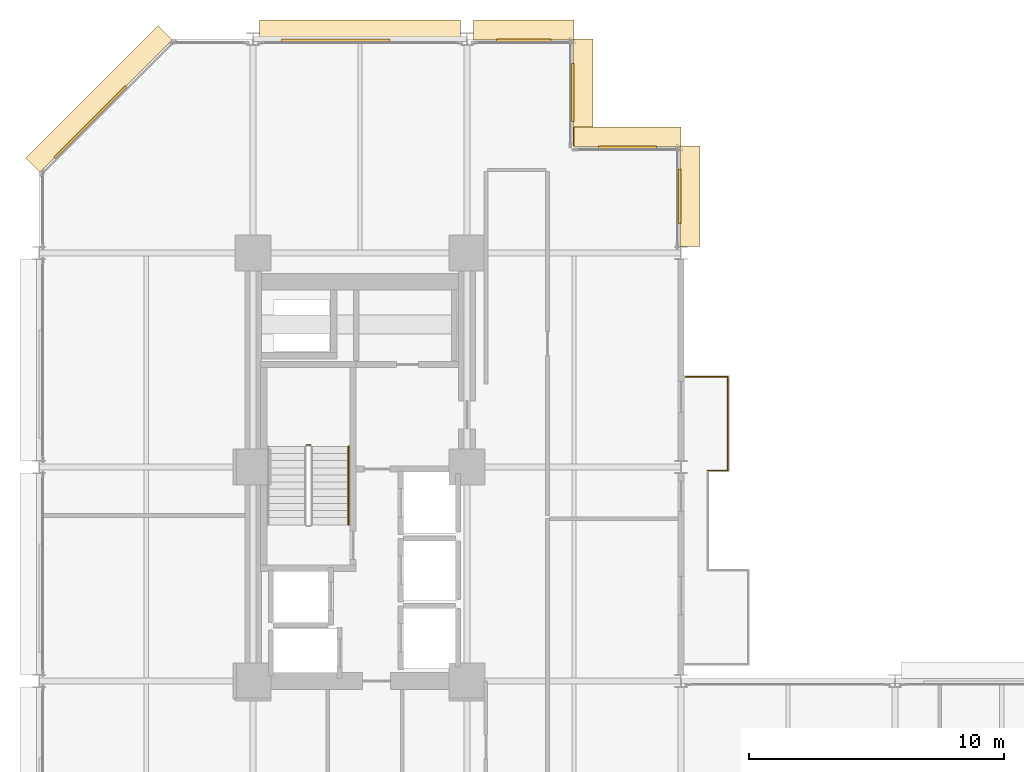
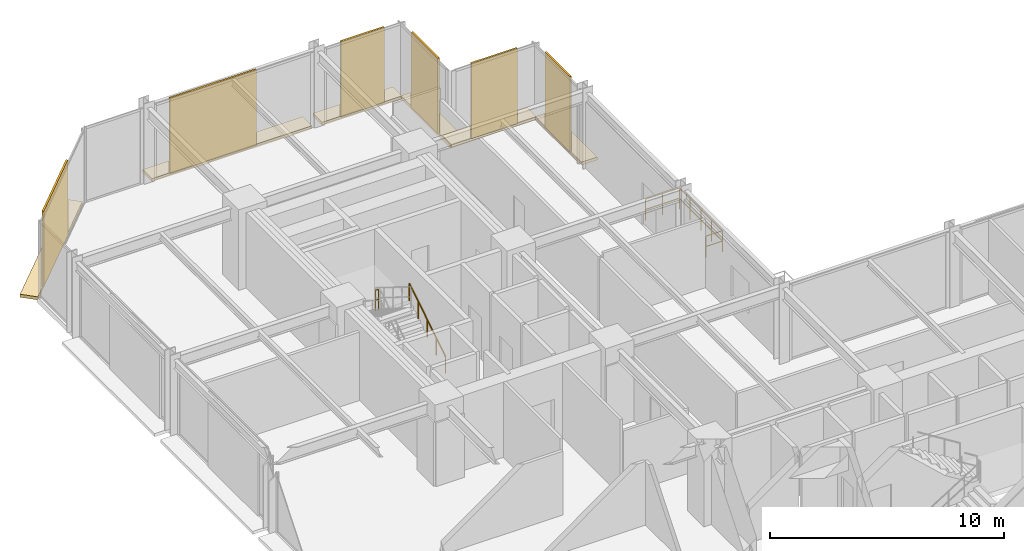
# One storey, part 25 of 25: 12 coverings, 5 railings.
"""IFC4 building model written with IfcOpenShell, lengths in metres."""

from ifc_helpers import new_model, si_unit, direction, frame, origin, origin_2d, place, context, subcontext, project, spatial, polyline, rectangle, circle, outline, extrude, material, layer, layer_set, type_object, element, save


model = new_model("IFC4")

# Units and contexts
model_context = context("Model", 3, precision=1e-05, world=origin(), true_north=direction((0.0, 1.0)))
body_context = subcontext(model_context, "Body", "Model", "MODEL_VIEW")
ifc_project = project(units=[si_unit("LENGTHUNIT", "METRE"), si_unit("AREAUNIT", "SQUARE_METRE"), si_unit("VOLUMEUNIT", "CUBIC_METRE"), si_unit("PLANEANGLEUNIT", "RADIAN"), si_unit("MASSUNIT", "GRAM", prefix="KILO")], contexts=[model_context])

# Site, building, storey
site_placement = place(None, origin())
site = spatial("IfcSite", under=ifc_project, at=site_placement, CompositionType="ELEMENT")
building_placement = place(site_placement, origin())
building = spatial("IfcBuilding", under=site, at=building_placement, Name="Nerrivon Quay Data Exchange", CompositionType="ELEMENT")
storey_placement = place(building_placement, frame((0.0, 0.0, 29.0)))
storey = spatial("IfcBuildingStorey", under=building, at=storey_placement, Name="L06", CompositionType="ELEMENT", Elevation=29.0)

# Coverings
ifc_material_1 = material(Name="Architectural terracotta ceramic", Category="masonry")
ifc_layer_1 = layer(ifc_material_1, 0.159912109375)
ifc_layer_set_1 = layer_set([ifc_layer_1], Name="Architectural terracotta ceramic")
covering_type_1 = type_object("IfcCoveringType", Name="COV-BLD-TERR", PredefinedType="CLADDING", material=ifc_layer_set_1)
covering_1_placement = place(storey_placement, frame((0.0, 0.0, -0.159912109375)))
element("IfcCovering", 1, at=covering_1_placement, inside=storey, type_object=covering_type_1, Name="L06 Horizontal Terracotta SOLAR SCREEN Blade", PredefinedType="CLADDING", context=body_context, shape_type="SweptSolid", body=[
    extrude(outline(polyline([(0.0283203125, 45.171630859375), (5.228271484375, 50.37158203125), (4.669677734375, 50.930419921875), (-0.5302734375, 45.730224609375), (0.0283203125, 45.171630859375)])), origin(), (0.0, 0.0, 1.0), 0.159912109375),
])
covering_2_placement = place(storey_placement, frame((0.0, 0.0, -0.159912109375)))
element("IfcCovering", 2, at=covering_2_placement, inside=storey, type_object=covering_type_1, Name="L06 Horizontal Terracotta SOLAR SCREEN Blade", PredefinedType="CLADDING", context=body_context, shape_type="SweptSolid", body=[
    extrude(outline(polyline([(8.64990234375, 50.360107421875), (16.550048828125, 50.360107421875), (16.550048828125, 51.14990234375), (8.64990234375, 51.14990234375), (8.64990234375, 50.360107421875)])), origin(), (0.0, 0.0, 1.0), 0.159912109375),
])
covering_3_placement = place(storey_placement, frame((0.0, 0.0, -0.159912109375)))
element("IfcCovering", 3, at=covering_3_placement, inside=storey, type_object=covering_type_1, Name="L06 Horizontal Terracotta SOLAR SCREEN Blade", PredefinedType="CLADDING", context=body_context, shape_type="SweptSolid", body=[
    extrude(outline(polyline([(17.050048828125, 50.360107421875), (21.0, 50.360107421875), (21.0, 51.14990234375), (17.050048828125, 51.14990234375), (17.050048828125, 50.360107421875)])), origin(), (0.0, 0.0, 1.0), 0.159912109375),
])
covering_4_placement = place(storey_placement, frame((0.0, 0.0, -0.159912109375)))
element("IfcCovering", 4, at=covering_4_placement, inside=storey, type_object=covering_type_1, Name="L06 Horizontal Terracotta SOLAR SCREEN Blade", PredefinedType="CLADDING", context=body_context, shape_type="SweptSolid", body=[
    extrude(outline(polyline([(20.9599609375, 50.39990234375), (20.9599609375, 46.199951171875), (21.75, 46.199951171875), (21.75, 50.39990234375), (20.9599609375, 50.39990234375)])), origin(), (0.0, 0.0, 1.0), 0.159912109375),
])
covering_5_placement = place(storey_placement, frame((0.0, 0.0, -0.159912109375)))
element("IfcCovering", 5, at=covering_5_placement, inside=storey, type_object=covering_type_1, Name="L06 Horizontal Terracotta SOLAR SCREEN Blade", PredefinedType="CLADDING", context=body_context, shape_type="SweptSolid", body=[
    extrude(outline(polyline([(21.0, 46.159912109375), (25.199951171875, 46.159912109375), (25.199951171875, 46.949951171875), (21.0, 46.949951171875), (21.0, 46.159912109375)])), origin(), (0.0, 0.0, 1.0), 0.159912109375),
])
covering_6_placement = place(storey_placement, frame((0.0, 0.0, -0.159912109375)))
element("IfcCovering", 6, at=covering_6_placement, inside=storey, type_object=covering_type_1, Name="L06 Horizontal Terracotta SOLAR SCREEN Blade", PredefinedType="CLADDING", context=body_context, shape_type="SweptSolid", body=[
    extrude(outline(polyline([(25.159912109375, 46.199951171875), (25.159912109375, 42.25), (25.949951171875, 42.25), (25.949951171875, 46.199951171875), (25.159912109375, 46.199951171875)])), origin(), (0.0, 0.0, 1.0), 0.159912109375),
])
ifc_layer_2 = layer(ifc_material_1, 0.090087890625)
ifc_layer_set_2 = layer_set([ifc_layer_2], Name="Architectural terracotta ceramic")
covering_type_2 = type_object("IfcCoveringType", Name="COV-SCR-TERR", PredefinedType="CLADDING", material=ifc_layer_set_2)
covering_7_placement = place(storey_placement, frame((2.0078125, 47.144287109375, 0.0), z_axis=(0.0, 0.0, 1.0), x_axis=(0.707106781187, 0.707106781187, 0.0)))
element("IfcCovering", 7, at=covering_7_placement, inside=storey, type_object=covering_type_2, Name="L06 Perforated Terracotta SOLAR SCREEN Cassette", PredefinedType="CLADDING", context=body_context, shape_type="SweptSolid", body=[
    extrude(rectangle(XDim=3.970947265625, YDim=0.090087890625, at=origin_2d()), origin(), (0.0, 0.0, 1.0), 3.925048828125),
])
covering_8_placement = place(storey_placement, frame((11.652099609375, 50.35498046875, 0.0), z_axis=(0.0, 0.0, 1.0), x_axis=(1.0, 0.0, 0.0)))
element("IfcCovering", 8, at=covering_8_placement, inside=storey, type_object=covering_type_2, Name="L06 Perforated Terracotta SOLAR SCREEN Cassette", PredefinedType="CLADDING", context=body_context, shape_type="SweptSolid", body=[
    extrude(rectangle(XDim=4.26611328125, YDim=0.090087890625, at=origin_2d()), origin(), (0.0, 0.0, 1.0), 3.925048828125),
])
covering_9_placement = place(storey_placement, frame((19.02490234375, 50.35498046875, 0.0), z_axis=(0.0, 0.0, 1.0), x_axis=(1.0, 0.0, 0.0)))
element("IfcCovering", 9, at=covering_9_placement, inside=storey, type_object=covering_type_2, Name="L06 Perforated Terracotta SOLAR SCREEN Cassette", PredefinedType="CLADDING", context=body_context, shape_type="SweptSolid", body=[
    extrude(rectangle(XDim=2.133056640625, YDim=0.090087890625, at=origin_2d()), origin(), (0.0, 0.0, 1.0), 3.925048828125),
])
for number, where, z_axis, x_axis, name in (
    (10, (20.955078125, 48.300048828125, 0.0), (0.0, 0.0, 1.0), (0.0, -1.0, 0.0), "L06 Perforated Terracotta SOLAR SCREEN Cassette"),
    (11, (23.10009765625, 46.155029296875, 0.0), (0.0, 0.0, 1.0), (1.0, 0.0, 0.0), "L06 Perforated Terracotta SOLAR SCREEN Cassette"),
):
    element("IfcCovering", number, at=place(storey_placement, frame(where, z_axis=z_axis, x_axis=x_axis)), inside=storey, type_object=covering_type_2, Name=name, PredefinedType="CLADDING", context=body_context, shape_type="SweptSolid", body=[
        extrude(rectangle(XDim=2.26806640625, YDim=0.090087890625, at=origin_2d()), origin(), (0.0, 0.0, 1.0), 3.925048828125),
    ])
covering_10_placement = place(storey_placement, frame((25.155029296875, 44.22509765625, 0.0), z_axis=(0.0, 0.0, 1.0), x_axis=(0.0, -1.0, 0.0)))
element("IfcCovering", 12, at=covering_10_placement, inside=storey, type_object=covering_type_2, Name="L06 Perforated Terracotta SOLAR SCREEN Cassette", PredefinedType="CLADDING", context=body_context, shape_type="SweptSolid", body=[
    extrude(rectangle(XDim=2.133056640625, YDim=0.090087890625, at=origin_2d()), origin(), (0.0, 0.0, 1.0), 3.925048828125),
])

# Railings
ifc_material_2 = material(Name="Steel Grade C350L0 (350 MPa)", Category="steel")
railing_type_1 = type_object("IfcRailingType", Name="RAIL-GUARD-GR2", PredefinedType="BALUSTRADE", material=ifc_material_2)
railing_1_placement = place(storey_placement, frame((25.3798828125, 37.139892578125, 0.0)))
element("IfcRailing", 13, at=railing_1_placement, inside=storey, type_object=railing_type_1, Name="L06 Verandah Balcony Guard 1.4 1", PredefinedType="BALUSTRADE", context=body_context, shape_type="SweptSolid", body=[
    extrude(circle(Radius=0.02392578125, at=origin_2d()), frame((0.0, 0.0, 1.09619140625), z_axis=(1.0, 0.0, 0.0), x_axis=(0.0, 1.0, 0.0)), (0.0, 0.0, 1.0), 1.66015625),
    extrude(circle(Radius=0.02392578125, at=origin_2d()), frame((0.0, 0.0, 0.56005859375), z_axis=(1.0, 0.0, 0.0), x_axis=(0.0, 1.0, 0.0)), (0.0, 0.0, 1.0), 1.66015625),
    extrude(circle(Radius=0.02099609375, at=origin_2d()), origin(), (0.0, 0.0, 1.0), 1.072021484375),
    extrude(circle(Radius=0.02099609375, at=origin_2d()), frame((0.830078125, 0.0, 0.0)), (0.0, 0.0, 1.0), 1.072021484375),
    extrude(circle(Radius=0.02099609375, at=origin_2d()), frame((1.66015625, 0.0, 0.0)), (0.0, 0.0, 1.0), 1.072021484375),
])
railing_2_placement = place(storey_placement, frame((27.0400390625, 37.139892578125, 0.0)))
element("IfcRailing", 14, at=railing_2_placement, inside=storey, type_object=railing_type_1, Name="L06 Verandah Balcony Guard 1.5 1", PredefinedType="BALUSTRADE", context=body_context, shape_type="SweptSolid", body=[
    extrude(circle(Radius=0.02392578125, at=origin_2d()), frame((0.0, 0.0, 1.09619140625), z_axis=(0.0, -1.0, 0.0), x_axis=(1.0, 0.0, 0.0)), (0.0, 0.0, 1.0), 3.679931640625),
    extrude(circle(Radius=0.02392578125, at=origin_2d()), frame((0.0, 0.0, 0.56005859375), z_axis=(0.0, -1.0, 0.0), x_axis=(1.0, 0.0, 0.0)), (0.0, 0.0, 1.0), 3.679931640625),
    extrude(circle(Radius=0.02099609375, at=origin_2d()), origin(), (0.0, 0.0, 1.0), 1.072021484375),
    extrude(circle(Radius=0.02099609375, at=origin_2d()), frame((0.0, -0.919921875, 0.0)), (0.0, 0.0, 1.0), 1.072021484375),
    extrude(circle(Radius=0.02099609375, at=origin_2d()), frame((0.0, -1.83984375, 0.0)), (0.0, 0.0, 1.0), 1.072021484375),
    extrude(circle(Radius=0.02099609375, at=origin_2d()), frame((0.0, -2.760009765625, 0.0)), (0.0, 0.0, 1.0), 1.072021484375),
    extrude(circle(Radius=0.02099609375, at=origin_2d()), frame((0.0, -3.679931640625, 0.0)), (0.0, 0.0, 1.0), 1.072021484375),
])
railing_3_placement = place(storey_placement, frame((27.0400390625, 33.4599609375, 0.0)))
element("IfcRailing", 15, at=railing_3_placement, inside=storey, type_object=railing_type_1, Name="L06 Verandah Balcony Guard 1.6 1", PredefinedType="BALUSTRADE", context=body_context, shape_type="SweptSolid", body=[
    extrude(circle(Radius=0.02392578125, at=origin_2d()), frame((0.0, 0.0, 1.09619140625), z_axis=(-1.0, 0.0, 0.0), x_axis=(0.0, -1.0, 0.0)), (0.0, 0.0, 1.0), 0.800048828125),
    extrude(circle(Radius=0.02392578125, at=origin_2d()), frame((0.0, 0.0, 0.56005859375), z_axis=(-1.0, 0.0, 0.0), x_axis=(0.0, -1.0, 0.0)), (0.0, 0.0, 1.0), 0.800048828125),
    extrude(circle(Radius=0.02099609375, at=origin_2d()), origin(), (0.0, 0.0, 1.0), 1.072021484375),
    extrude(circle(Radius=0.02099609375, at=origin_2d()), frame((-0.800048828125, 0.0, 0.0)), (0.0, 0.0, 1.0), 1.072021484375),
])
railing_type_2 = type_object("IfcRailingType", Name="RAIL-HAND-HR1", PredefinedType="HANDRAIL", material=ifc_material_2)
railing_4_placement = place(storey_placement, frame((12.14990234375, 31.330078125, 0.175048828125)))
element("IfcRailing", 16, at=railing_4_placement, inside=storey, type_object=railing_type_2, Name="L06 ST01 stair handrail 1", PredefinedType="HANDRAIL", context=body_context, shape_type="SweptSolid", body=[
    extrude(circle(Radius=0.02392578125, at=origin_2d()), frame((0.0, 0.0, 0.8759765625), z_axis=(0.0, 0.847979421464, 0.530029150871), x_axis=(-1.0, 0.0, 0.0)), (0.0, 0.0, 1.0), 3.632080078125),
    extrude(circle(Radius=0.02099609375, at=origin_2d()), origin(), (0.0, 0.0, 1.0), 0.851806640625),
    extrude(circle(Radius=0.02099609375, at=origin_2d()), frame((0.0, 0.77001953125, 0.481201171875)), (0.0, 0.0, 1.0), 0.851806640625),
    extrude(circle(Radius=0.02099609375, at=origin_2d()), frame((0.0, 1.5400390625, 0.96240234375)), (0.0, 0.0, 1.0), 0.851806640625),
    extrude(circle(Radius=0.02099609375, at=origin_2d()), frame((0.0, 2.309814453125, 1.44384765625)), (0.0, 0.0, 1.0), 0.851806640625),
    extrude(circle(Radius=0.02099609375, at=origin_2d()), frame((0.0, 3.079833984375, 1.925048828125)), (0.0, 0.0, 1.0), 0.851806640625),
])
railing_type_3 = type_object("IfcRailingType", Name="RAIL-STAIR-GR1", PredefinedType="BALUSTRADE", material=ifc_material_2)
railing_5_placement = place(storey_placement, frame((10.64990234375, 34.4599609375, 2.10009765625)))
element("IfcRailing", 17, at=railing_5_placement, inside=storey, type_object=railing_type_3, Name="L06 ST01 stair guard 2", PredefinedType="BALUSTRADE", context=body_context, shape_type="SweptSolid", body=[
    extrude(circle(Radius=0.02392578125, at=origin_2d()), frame((0.0, 0.0, 1.076171875), z_axis=(-1.0, 0.0, 0.0), x_axis=(0.0, -1.0, 0.0)), (0.0, 0.0, 1.0), 0.14990234375),
    extrude(circle(Radius=0.02392578125, at=origin_2d()), frame((0.0, 0.0, 0.550048828125), z_axis=(-1.0, 0.0, 0.0), x_axis=(0.0, -1.0, 0.0)), (0.0, 0.0, 1.0), 0.14990234375),
    extrude(circle(Radius=0.02099609375, at=origin_2d()), origin(), (0.0, 0.0, 1.0), 1.052001953125),
    extrude(circle(Radius=0.02099609375, at=origin_2d()), frame((-0.14990234375, 0.0, 0.0)), (0.0, 0.0, 1.0), 1.052001953125),
])

save(model, "model.ifc")
